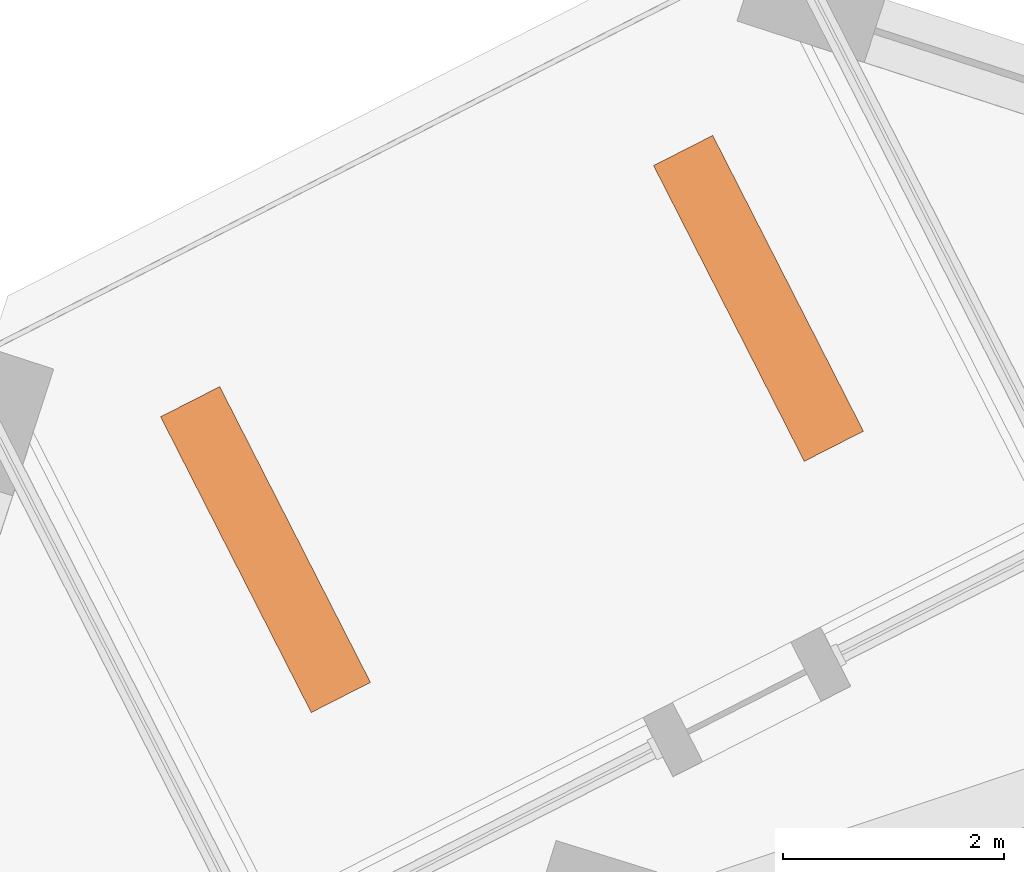
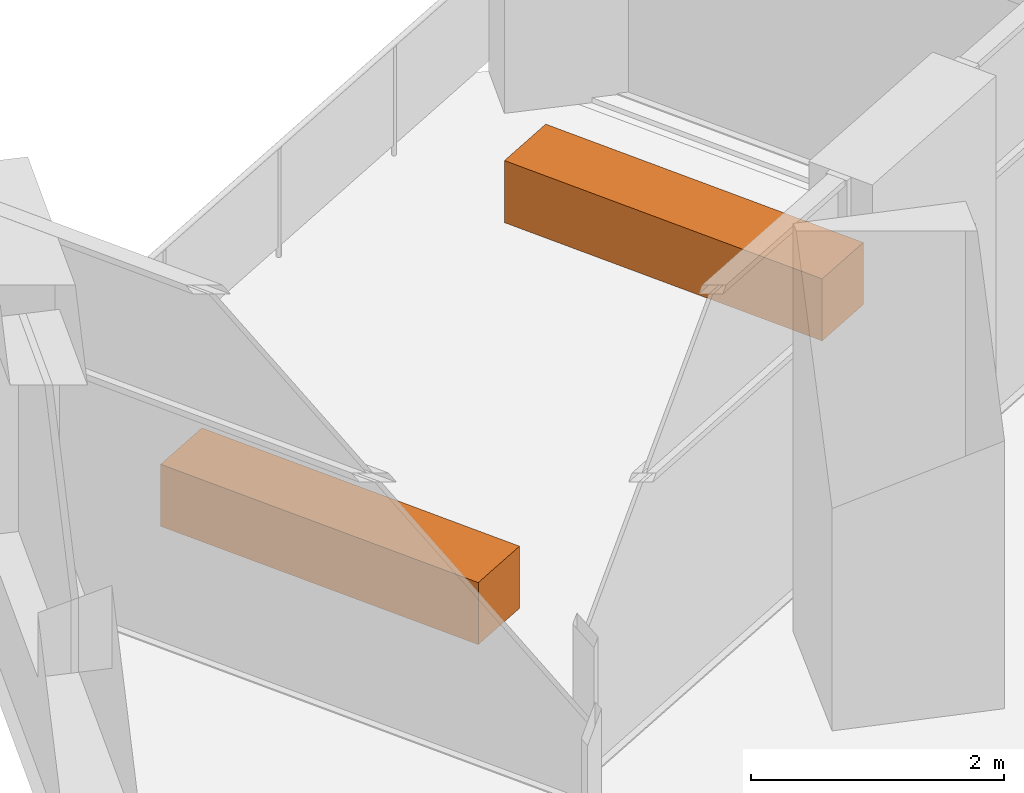
# One storey, part 13 of 13: 2 proxies.
"""IFC4 building model written with IfcOpenShell, lengths in metres."""

from ifc_helpers import new_model, si_unit, direction, frame, origin, origin_2d, place, context, subcontext, project, spatial, rectangle, extrude, element, save


model = new_model("IFC4")

# Units and contexts
model_context = context("Model", 3, precision=1e-05, world=origin(), true_north=direction((0.0, 1.0)))
body_context = subcontext(model_context, "Body", "Model", "MODEL_VIEW")
ifc_project = project(units=[si_unit("LENGTHUNIT", "METRE"), si_unit("AREAUNIT", "SQUARE_METRE"), si_unit("VOLUMEUNIT", "CUBIC_METRE"), si_unit("PLANEANGLEUNIT", "RADIAN"), si_unit("MASSUNIT", "GRAM", prefix="KILO")], contexts=[model_context])

# Site, building, storey
site_placement = place(None, origin())
site = spatial("IfcSite", under=ifc_project, at=site_placement, CompositionType="ELEMENT")
building_placement = place(site_placement, origin())
building = spatial("IfcBuilding", under=site, at=building_placement, Name="Dilmun Exchange Tower", CompositionType="ELEMENT")
storey_placement = place(building_placement, frame((0.0, 0.0, 320.5)))
storey = spatial("IfcBuildingStorey", under=building, at=storey_placement, Name="L76", CompositionType="ELEMENT", Elevation=320.5)

# Proxies
for number, where, z_axis, x_axis, name in (
    (1, (-11.16796875, 32.097900390625, 0.0), (0.0, 0.0, 1.0), (-0.45399049974, 0.891006524188, 0.0), "PLANTER Date palm L76.1"),
    (2, (-15.623046875, 29.827880859375, 0.0), (0.0, 0.0, 1.0), (-0.45399049974, 0.891006524188, 0.0), "PLANTER Date palm L76.2"),
):
    element("IfcBuildingElementProxy", number, at=place(storey_placement, frame(where, z_axis=z_axis, x_axis=x_axis)), inside=storey, Name=name, ObjectType="PLANTER", PredefinedType="USERDEFINED", context=body_context, shape_type="SweptSolid", body=[
        extrude(rectangle(XDim=3.0, YDim=0.60009765625, at=origin_2d()), origin(), (0.0, 0.0, 1.0), 0.60009765625),
    ])

save(model, "model.ifc")
